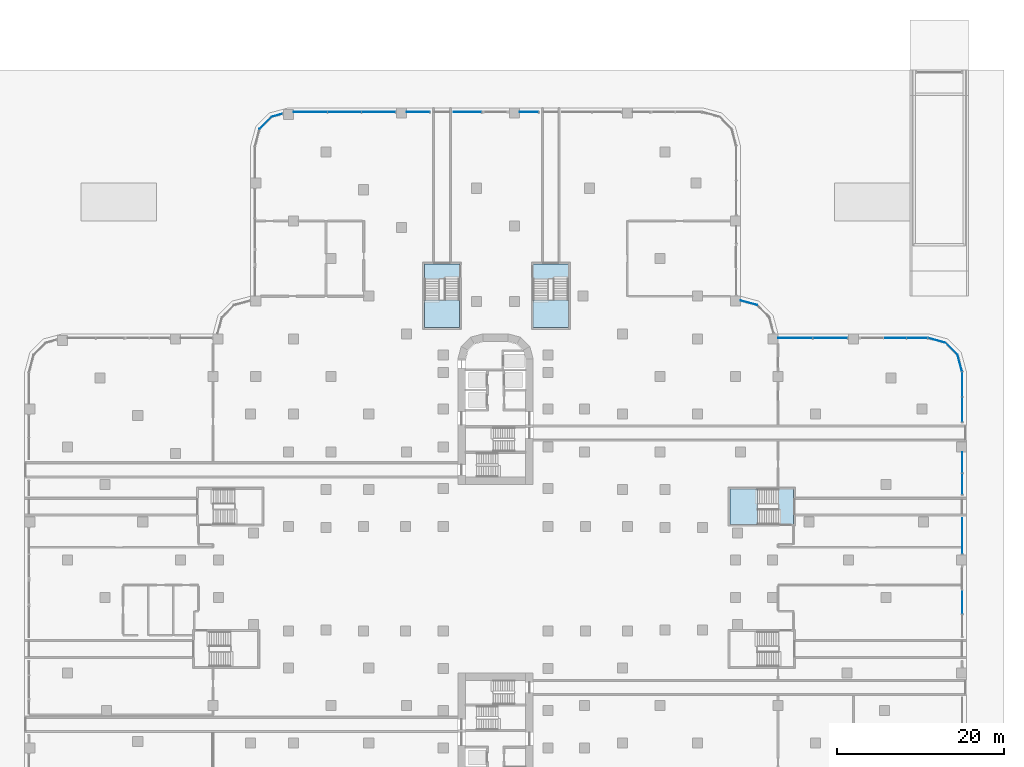
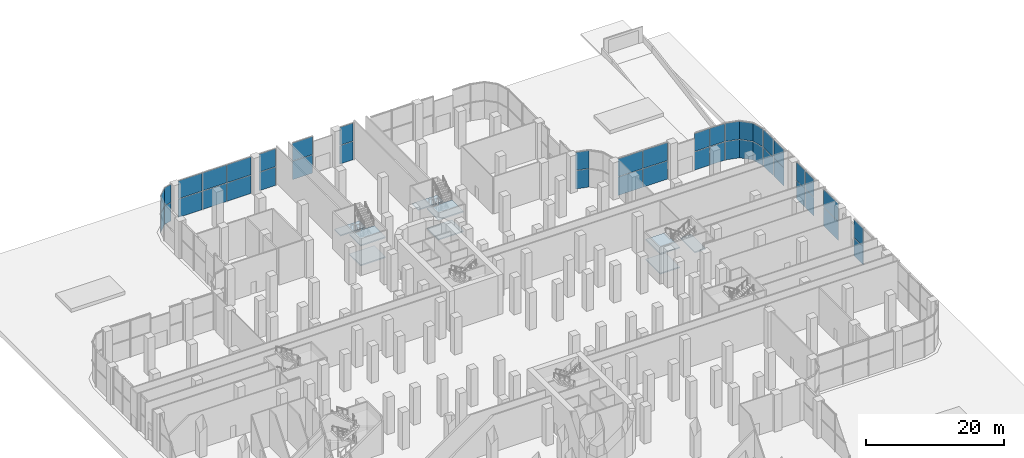
# One storey, part 18 of 34: 44 plates, 9 slabs, 12 elements without a shape of their own.
"""IFC4 building model written with IfcOpenShell, lengths in metres."""

from ifc_helpers import new_model, si_unit, direction, frame, origin, place, context, subcontext, project, spatial, polyline, outline, extrude, source, transform, mapped, material, layer, layer_set, type_object, element, aggregate, save


model = new_model("IFC4")

# Units and contexts
model_context = context("Model", 3, precision=1e-05, world=origin(), true_north=direction((0.0, 1.0)))
body_context = subcontext(model_context, "Body", "Model", "MODEL_VIEW")
ifc_project = project(units=[si_unit("LENGTHUNIT", "METRE"), si_unit("AREAUNIT", "SQUARE_METRE"), si_unit("VOLUMEUNIT", "CUBIC_METRE"), si_unit("PLANEANGLEUNIT", "RADIAN"), si_unit("MASSUNIT", "GRAM", prefix="KILO")], contexts=[model_context])

# Site, building, storey
site_placement = place(None, origin())
site = spatial("IfcSite", under=ifc_project, at=site_placement, CompositionType="ELEMENT")
building_placement = place(site_placement, origin())
building = spatial("IfcBuilding", under=site, at=building_placement, Name="Zarbagh Exchange Tower", CompositionType="ELEMENT")
storey_placement = place(building_placement, origin())
storey = spatial("IfcBuildingStorey", under=building, at=storey_placement, Name="L00", CompositionType="ELEMENT", Elevation=0.0)

# Stair, slabs
ifc_material_1 = material(Name="Concrete C40/50", Category="concrete")
stair_type = type_object("IfcStairType", Name="Exit stair two-flight half-turn", PredefinedType="HALF_TURN_STAIR", material=ifc_material_1)
stair_1_placement = place(storey_placement, origin())
stair_1 = element("IfcStair", 1, at=stair_1_placement, inside=storey, type_object=stair_type, Name="exit stair PS1", PredefinedType="HALF_TURN_STAIR")
ifc_layer_1 = layer(ifc_material_1, 0.199951171875)
ifc_layer_set_1 = layer_set([ifc_layer_1], Name="Stair landing 200 mm")
slab_type = type_object("IfcSlabType", Name="Stair landing 200 mm", PredefinedType="LANDING", material=ifc_layer_set_1)
slab_1_placement = place(storey_placement, frame((0.0, 0.0, 1.550048828125)))
slab_1 = element("IfcSlab", 2, at=slab_1_placement, type_object=slab_type, Name="PS1 landing 1", PredefinedType="LANDING", context=body_context, shape_type="SweptSolid", body=[
    extrude(outline(polyline([(-8.5, 33.280029296875), (-8.5, 30.0), (-4.300048828125, 30.0), (-4.300048828125, 33.280029296875), (-8.5, 33.280029296875)])), origin(), (0.0, 0.0, 1.0), 0.199951171875),
])
slab_2_placement = place(storey_placement, frame((0.0, 0.0, 3.300048828125)))
slab_2 = element("IfcSlab", 3, at=slab_2_placement, type_object=slab_type, Name="PS1 landing 2", PredefinedType="LANDING", context=body_context, shape_type="SweptSolid", body=[
    extrude(outline(polyline([(-8.5, 37.60009765625), (-8.5, 35.800048828125), (-4.300048828125, 35.800048828125), (-4.300048828125, 37.60009765625), (-8.5, 37.60009765625)])), origin(), (0.0, 0.0, 1.0), 0.199951171875),
])
slab_3_placement = place(storey_placement, frame((0.0, 0.0, 5.050048828125)))
slab_3 = element("IfcSlab", 4, at=slab_3_placement, type_object=slab_type, Name="PS1 landing 3", PredefinedType="LANDING", context=body_context, shape_type="SweptSolid", body=[
    extrude(outline(polyline([(-8.5, 33.280029296875), (-8.5, 30.0), (-4.300048828125, 30.0), (-4.300048828125, 33.280029296875), (-8.5, 33.280029296875)])), origin(), (0.0, 0.0, 1.0), 0.199951171875),
])
aggregate(stair_1, [slab_1, slab_2, slab_3])

stair_2_placement = place(storey_placement, origin())
stair_2 = element("IfcStair", 5, at=stair_2_placement, inside=storey, type_object=stair_type, Name="exit stair PS2", PredefinedType="HALF_TURN_STAIR")
slab_4_placement = place(storey_placement, frame((0.0, 0.0, 1.550048828125)))
slab_4 = element("IfcSlab", 6, at=slab_4_placement, type_object=slab_type, Name="PS2 landing 1", PredefinedType="LANDING", context=body_context, shape_type="SweptSolid", body=[
    extrude(outline(polyline([(4.5, 33.280029296875), (4.5, 30.0), (8.699951171875, 30.0), (8.699951171875, 33.280029296875), (4.5, 33.280029296875)])), origin(), (0.0, 0.0, 1.0), 0.199951171875),
])
slab_5_placement = place(storey_placement, frame((0.0, 0.0, 3.300048828125)))
slab_5 = element("IfcSlab", 7, at=slab_5_placement, type_object=slab_type, Name="PS2 landing 2", PredefinedType="LANDING", context=body_context, shape_type="SweptSolid", body=[
    extrude(outline(polyline([(4.5, 37.60009765625), (4.5, 35.800048828125), (8.699951171875, 35.800048828125), (8.699951171875, 37.60009765625), (4.5, 37.60009765625)])), origin(), (0.0, 0.0, 1.0), 0.199951171875),
])
slab_6_placement = place(storey_placement, frame((0.0, 0.0, 5.050048828125)))
slab_6 = element("IfcSlab", 8, at=slab_6_placement, type_object=slab_type, Name="PS2 landing 3", PredefinedType="LANDING", context=body_context, shape_type="SweptSolid", body=[
    extrude(outline(polyline([(4.5, 33.280029296875), (4.5, 30.0), (8.699951171875, 30.0), (8.699951171875, 33.280029296875), (4.5, 33.280029296875)])), origin(), (0.0, 0.0, 1.0), 0.199951171875),
])
aggregate(stair_2, [slab_4, slab_5, slab_6])

stair_3_placement = place(storey_placement, origin())
stair_3 = element("IfcStair", 9, at=stair_3_placement, inside=storey, type_object=stair_type, Name="exit stair PS3", PredefinedType="HALF_TURN_STAIR")
slab_7_placement = place(storey_placement, frame((0.0, 0.0, 1.550048828125)))
slab_7 = element("IfcSlab", 10, at=slab_7_placement, type_object=slab_type, Name="PS3 landing 1", PredefinedType="LANDING", context=body_context, shape_type="SweptSolid", body=[
    extrude(outline(polyline([(31.280029296875, 10.699951171875), (28.0, 10.699951171875), (28.0, 6.5), (31.280029296875, 6.5), (31.280029296875, 10.699951171875)])), origin(), (0.0, 0.0, 1.0), 0.199951171875),
])
slab_8_placement = place(storey_placement, frame((0.0, 0.0, 3.300048828125)))
slab_8 = element("IfcSlab", 11, at=slab_8_placement, type_object=slab_type, Name="PS3 landing 2", PredefinedType="LANDING", context=body_context, shape_type="SweptSolid", body=[
    extrude(outline(polyline([(35.60009765625, 10.699951171875), (33.800048828125, 10.699951171875), (33.800048828125, 6.5), (35.60009765625, 6.5), (35.60009765625, 10.699951171875)])), origin(), (0.0, 0.0, 1.0), 0.199951171875),
])
slab_9_placement = place(storey_placement, frame((0.0, 0.0, 5.050048828125)))
slab_9 = element("IfcSlab", 12, at=slab_9_placement, type_object=slab_type, Name="PS3 landing 3", PredefinedType="LANDING", context=body_context, shape_type="SweptSolid", body=[
    extrude(outline(polyline([(31.280029296875, 10.699951171875), (28.0, 10.699951171875), (28.0, 6.5), (31.280029296875, 6.5), (31.280029296875, 10.699951171875)])), origin(), (0.0, 0.0, 1.0), 0.199951171875),
])
aggregate(stair_3, [slab_7, slab_8, slab_9])

# Curtain wall, plates
ifc_material_2 = material(Name="Anodised aluminium frame and glazing", Category="aluminium")
curtain_wall_type = type_object("IfcCurtainWallType", Name="CWC Podium garden-wall glazing", PredefinedType="NOTDEFINED", material=ifc_material_2)
curtain_wall_1_placement = place(storey_placement, origin())
curtain_wall_1 = element("IfcCurtainWall", 13, at=curtain_wall_1_placement, inside=storey, type_object=curtain_wall_type, Name="CWC14 curtain wall", PredefinedType="NOTDEFINED")
ifc_material_3 = material(Name="Low-e double glazed unit, 6+12+6 mm")
ifc_layer_2 = layer(ifc_material_3, 0.031982421875)
ifc_layer_set_2 = layer_set([ifc_layer_2], Name="PAC Glazing panel, Low-e double glazed unit, 6+12+6 mm")
plate_type = type_object("IfcPlateType", Name="PAC Glazing panel, Low-e double glazed unit, 6+12+6 mm", PredefinedType="CURTAIN_PANEL", material=ifc_layer_set_2)
shared_shape_1 = source(origin(), body_context, "Body", "SweptSolid", [
    extrude(outline(polyline([(0.0, -0.01611328125), (2.049560546875, -0.01611328125), (2.049560546875, 0.01611328125), (0.0, 0.01611328125), (0.0, -0.01611328125)])), origin(), (0.0, 0.0, 1.0), 3.235107421875),
])
placement = place(storey_placement, origin())
plate_1 = element("IfcPlate", 14, at=placement, type_object=plate_type, Name="CWC14 glazing panel 1.1", PredefinedType="CURTAIN_PANEL", context=body_context, shape_type="MappedRepresentation", body=[
    mapped(shared_shape_1, transform((55.729248046875, 24.761474609375, 0.0), x_axis=(-0.258824779902, 0.965924289636, 0.0), y_axis=(-0.965924289636, -0.258824779902, 0.0), z_axis=(0.0, 0.0, 1.0))),
])
shared_shape_2 = source(origin(), body_context, "Body", "SweptSolid", [
    extrude(outline(polyline([(0.0, -0.01611328125), (2.049560546875, -0.01611328125), (2.049560546875, 0.01611328125), (0.0, 0.01611328125), (0.0, -0.01611328125)])), origin(), (0.0, 0.0, 1.0), 3.155029296875),
])
plate_2 = element("IfcPlate", 15, at=placement, type_object=plate_type, Name="CWC14 glazing panel 1.1", PredefinedType="CURTAIN_PANEL", context=body_context, shape_type="MappedRepresentation", body=[
    mapped(shared_shape_2, transform((55.729248046875, 24.761474609375, 3.31494140625), x_axis=(-0.258824779902, 0.965924289636, 0.0), y_axis=(-0.965924289636, -0.258824779902, 0.0), z_axis=(0.0, 0.0, 1.0))),
])
aggregate(curtain_wall_1, [plate_1, plate_2])

# Curtain wall, plate
curtain_wall_2_placement = place(storey_placement, origin())
curtain_wall_2 = element("IfcCurtainWall", 16, at=curtain_wall_2_placement, inside=storey, type_object=curtain_wall_type, Name="CWC15 curtain wall", PredefinedType="NOTDEFINED")
shared_shape_3 = source(origin(), body_context, "Body", "SweptSolid", [
    extrude(outline(polyline([(0.0, -0.01611328125), (2.061279296875, -0.01611328125), (2.061279296875, 0.01611328125), (0.0, 0.01611328125), (0.0, -0.01611328125)])), origin(), (0.0, 0.0, 1.0), 3.235107421875),
])
plate_3 = element("IfcPlate", 17, at=placement, type_object=plate_type, Name="CWC15 glazing panel 1.1", PredefinedType="CURTAIN_PANEL", context=body_context, shape_type="MappedRepresentation", body=[
    mapped(shared_shape_3, transform((55.19873046875, 26.7412109375, 0.0), x_axis=(-0.707106781187, 0.707106781187, 0.0), y_axis=(-0.707106781187, -0.707106781187, 0.0), z_axis=(0.0, 0.0, 1.0))),
])

curtain_wall_3_placement = place(storey_placement, origin())
curtain_wall_3 = element("IfcCurtainWall", 18, at=curtain_wall_3_placement, inside=storey, type_object=curtain_wall_type, Name="CWC27 curtain wall", PredefinedType="NOTDEFINED")
plate_4 = element("IfcPlate", 19, at=placement, type_object=plate_type, Name="CWC27 glazing panel 1.1", PredefinedType="CURTAIN_PANEL", context=body_context, shape_type="MappedRepresentation", body=[
    mapped(shared_shape_3, transform((-26.7412109375, 55.19873046875, 0.0), x_axis=(-0.707106781187, -0.707106781187, 0.0), y_axis=(0.707106781187, -0.707106781187, 0.0), z_axis=(0.0, 0.0, 1.0))),
])

# Plate
shared_shape_4 = source(origin(), body_context, "Body", "SweptSolid", [
    extrude(outline(polyline([(0.0, -0.01611328125), (2.061279296875, -0.01611328125), (2.061279296875, 0.01611328125), (0.0, 0.01611328125), (0.0, -0.01611328125)])), origin(), (0.0, 0.0, 1.0), 3.155029296875),
])
plate_5 = element("IfcPlate", 20, at=placement, type_object=plate_type, Name="CWC15 glazing panel 1.1", PredefinedType="CURTAIN_PANEL", context=body_context, shape_type="MappedRepresentation", body=[
    mapped(shared_shape_4, transform((55.19873046875, 26.7412109375, 3.31494140625), x_axis=(-0.707106781187, 0.707106781187, 0.0), y_axis=(-0.707106781187, -0.707106781187, 0.0), z_axis=(0.0, 0.0, 1.0))),
])

aggregate(curtain_wall_2, [plate_3, plate_5])

plate_6 = element("IfcPlate", 21, at=placement, type_object=plate_type, Name="CWC27 glazing panel 1.1", PredefinedType="CURTAIN_PANEL", context=body_context, shape_type="MappedRepresentation", body=[
    mapped(shared_shape_4, transform((-26.7412109375, 55.19873046875, 3.31494140625), x_axis=(-0.707106781187, -0.707106781187, 0.0), y_axis=(0.707106781187, -0.707106781187, 0.0), z_axis=(0.0, 0.0, 1.0))),
])

aggregate(curtain_wall_3, [plate_4, plate_6])

# Curtain wall, plates
curtain_wall_4_placement = place(storey_placement, origin())
curtain_wall_4 = element("IfcCurtainWall", 22, at=curtain_wall_4_placement, inside=storey, type_object=curtain_wall_type, Name="CWC25 curtain wall", PredefinedType="NOTDEFINED")
shared_shape_5 = source(origin(), body_context, "Body", "SweptSolid", [
    extrude(outline(polyline([(0.0, -0.01611328125), (3.993408203125, -0.01611328125), (3.993408203125, 0.01611328125), (0.0, 0.01611328125), (0.0, -0.01611328125)])), origin(), (0.0, 0.0, 1.0), 3.235107421875),
])
plate_7 = element("IfcPlate", 23, at=placement, type_object=plate_type, Name="CWC25 glazing panel 7.1", PredefinedType="CURTAIN_PANEL", context=body_context, shape_type="MappedRepresentation", body=[
    mapped(shared_shape_5, transform((-11.969970703125, 55.75, 0.0), x_axis=(-1.0, 0.0, 0.0), y_axis=(0.0, -1.0, 0.0), z_axis=(0.0, 0.0, 1.0))),
])
plate_8 = element("IfcPlate", 24, at=placement, type_object=plate_type, Name="CWC25 glazing panel 7.2", PredefinedType="CURTAIN_PANEL", context=body_context, shape_type="MappedRepresentation", body=[
    mapped(shared_shape_5, transform((-16.04345703125, 55.75, 0.0), x_axis=(-1.0, 0.0, 0.0), y_axis=(0.0, -1.0, 0.0), z_axis=(0.0, 0.0, 1.0))),
])
plate_9 = element("IfcPlate", 25, at=placement, type_object=plate_type, Name="CWC25 glazing panel 7.3", PredefinedType="CURTAIN_PANEL", context=body_context, shape_type="MappedRepresentation", body=[
    mapped(shared_shape_5, transform((-20.11669921875, 55.75, 0.0), x_axis=(-1.0, 0.0, 0.0), y_axis=(0.0, -1.0, 0.0), z_axis=(0.0, 0.0, 1.0))),
])
shared_shape_6 = source(origin(), body_context, "Body", "SweptSolid", [
    extrude(outline(polyline([(0.0, -0.01611328125), (3.993408203125, -0.01611328125), (3.993408203125, 0.01611328125), (0.0, 0.01611328125), (0.0, -0.01611328125)])), origin(), (0.0, 0.0, 1.0), 3.155029296875),
])
plate_10 = element("IfcPlate", 26, at=placement, type_object=plate_type, Name="CWC25 glazing panel 7.1", PredefinedType="CURTAIN_PANEL", context=body_context, shape_type="MappedRepresentation", body=[
    mapped(shared_shape_6, transform((-11.969970703125, 55.75, 3.31494140625), x_axis=(-1.0, 0.0, 0.0), y_axis=(0.0, -1.0, 0.0), z_axis=(0.0, 0.0, 1.0))),
])
plate_11 = element("IfcPlate", 27, at=placement, type_object=plate_type, Name="CWC25 glazing panel 7.2", PredefinedType="CURTAIN_PANEL", context=body_context, shape_type="MappedRepresentation", body=[
    mapped(shared_shape_6, transform((-16.04345703125, 55.75, 3.31494140625), x_axis=(-1.0, 0.0, 0.0), y_axis=(0.0, -1.0, 0.0), z_axis=(0.0, 0.0, 1.0))),
])
plate_12 = element("IfcPlate", 28, at=placement, type_object=plate_type, Name="CWC25 glazing panel 7.3", PredefinedType="CURTAIN_PANEL", context=body_context, shape_type="MappedRepresentation", body=[
    mapped(shared_shape_6, transform((-20.11669921875, 55.75, 3.31494140625), x_axis=(-1.0, 0.0, 0.0), y_axis=(0.0, -1.0, 0.0), z_axis=(0.0, 0.0, 1.0))),
])

curtain_wall_5_placement = place(storey_placement, origin())
curtain_wall_5 = element("IfcCurtainWall", 29, at=curtain_wall_5_placement, inside=storey, type_object=curtain_wall_type, Name="CWC20 curtain wall", PredefinedType="NOTDEFINED")
shared_shape_7 = source(origin(), body_context, "Body", "SweptSolid", [
    extrude(outline(polyline([(0.0, -0.01611328125), (2.02001953125, -0.01611328125), (2.02001953125, 0.01611328125), (0.0, 0.01611328125), (0.0, -0.01611328125)])), origin(), (0.0, 0.0, 1.0), 3.235107421875),
])
plate_13 = element("IfcPlate", 30, at=placement, type_object=plate_type, Name="CWC20 glazing panel 1.1", PredefinedType="CURTAIN_PANEL", context=body_context, shape_type="MappedRepresentation", body=[
    mapped(shared_shape_7, transform((31.2412109375, 32.69873046875, 0.0), x_axis=(-0.965924289636, 0.258824779902, 0.0), y_axis=(-0.258824779902, -0.965924289636, 0.0), z_axis=(0.0, 0.0, 1.0))),
])
shared_shape_8 = source(origin(), body_context, "Body", "SweptSolid", [
    extrude(outline(polyline([(0.0, -0.01611328125), (2.02001953125, -0.01611328125), (2.02001953125, 0.01611328125), (0.0, 0.01611328125), (0.0, -0.01611328125)])), origin(), (0.0, 0.0, 1.0), 3.155029296875),
])
plate_14 = element("IfcPlate", 31, at=placement, type_object=plate_type, Name="CWC20 glazing panel 1.1", PredefinedType="CURTAIN_PANEL", context=body_context, shape_type="MappedRepresentation", body=[
    mapped(shared_shape_8, transform((31.2412109375, 32.69873046875, 3.31494140625), x_axis=(-0.965924289636, 0.258824779902, 0.0), y_axis=(-0.258824779902, -0.965924289636, 0.0), z_axis=(0.0, 0.0, 1.0))),
])
aggregate(curtain_wall_5, [plate_13, plate_14])

curtain_wall_6_placement = place(storey_placement, origin())
curtain_wall_6 = element("IfcCurtainWall", 32, at=curtain_wall_6_placement, inside=storey, type_object=curtain_wall_type, Name="CWC13 curtain wall", PredefinedType="NOTDEFINED")
shared_shape_9 = source(origin(), body_context, "Body", "SweptSolid", [
    extrude(outline(polyline([(0.0, -0.01611328125), (2.6298828125, -0.01611328125), (2.6298828125, 0.01611328125), (0.0, 0.01611328125), (0.0, -0.01611328125)])), origin(), (0.0, 0.0, 1.0), 3.235107421875),
])
plate_15 = element("IfcPlate", 33, at=placement, type_object=plate_type, Name="CWC13 glazing panel 3.2", PredefinedType="CURTAIN_PANEL", context=body_context, shape_type="MappedRepresentation", body=[
    mapped(shared_shape_9, transform((55.75, -4.219970703125, 0.0), x_axis=(0.0, 1.0, 0.0), y_axis=(-1.0, 0.0, 0.0), z_axis=(0.0, 0.0, 1.0))),
])
shared_shape_10 = source(origin(), body_context, "Body", "SweptSolid", [
    extrude(outline(polyline([(0.0, -0.01611328125), (2.6298828125, -0.01611328125), (2.6298828125, 0.01611328125), (0.0, 0.01611328125), (0.0, -0.01611328125)])), origin(), (0.0, 0.0, 1.0), 3.155029296875),
])
plate_16 = element("IfcPlate", 34, at=placement, type_object=plate_type, Name="CWC13 glazing panel 3.2", PredefinedType="CURTAIN_PANEL", context=body_context, shape_type="MappedRepresentation", body=[
    mapped(shared_shape_10, transform((55.75, -4.219970703125, 3.31494140625), x_axis=(0.0, 1.0, 0.0), y_axis=(-1.0, 0.0, 0.0), z_axis=(0.0, 0.0, 1.0))),
])
shared_shape_11 = source(origin(), body_context, "Body", "SweptSolid", [
    extrude(outline(polyline([(0.0, -0.01611328125), (4.239990234375, -0.01611328125), (4.239990234375, 0.01611328125), (0.0, 0.01611328125), (0.0, -0.01611328125)])), origin(), (0.0, 0.0, 1.0), 3.235107421875),
])
plate_17 = element("IfcPlate", 35, at=placement, type_object=plate_type, Name="CWC13 glazing panel 4.1", PredefinedType="CURTAIN_PANEL", context=body_context, shape_type="MappedRepresentation", body=[
    mapped(shared_shape_11, transform((55.75, 2.969970703125, 0.0), x_axis=(0.0, 1.0, 0.0), y_axis=(-1.0, 0.0, 0.0), z_axis=(0.0, 0.0, 1.0))),
])
shared_shape_12 = source(origin(), body_context, "Body", "SweptSolid", [
    extrude(outline(polyline([(0.0, -0.01611328125), (4.239990234375, -0.01611328125), (4.239990234375, 0.01611328125), (0.0, 0.01611328125), (0.0, -0.01611328125)])), origin(), (0.0, 0.0, 1.0), 3.155029296875),
])
plate_18 = element("IfcPlate", 36, at=placement, type_object=plate_type, Name="CWC13 glazing panel 4.1", PredefinedType="CURTAIN_PANEL", context=body_context, shape_type="MappedRepresentation", body=[
    mapped(shared_shape_12, transform((55.75, 2.969970703125, 3.31494140625), x_axis=(0.0, 1.0, 0.0), y_axis=(-1.0, 0.0, 0.0), z_axis=(0.0, 0.0, 1.0))),
])
shared_shape_13 = source(origin(), body_context, "Body", "SweptSolid", [
    extrude(outline(polyline([(0.0, -0.01611328125), (2.47998046875, -0.01611328125), (2.47998046875, 0.01611328125), (0.0, 0.01611328125), (0.0, -0.01611328125)])), origin(), (0.0, 0.0, 1.0), 3.235107421875),
])
plate_19 = element("IfcPlate", 37, at=placement, type_object=plate_type, Name="CWC13 glazing panel 5.1", PredefinedType="CURTAIN_PANEL", context=body_context, shape_type="MappedRepresentation", body=[
    mapped(shared_shape_13, transform((55.75, 10.070068359375, 0.0), x_axis=(0.0, 1.0, 0.0), y_axis=(-1.0, 0.0, 0.0), z_axis=(0.0, 0.0, 1.0))),
])
plate_20 = element("IfcPlate", 38, at=placement, type_object=plate_type, Name="CWC13 glazing panel 5.2", PredefinedType="CURTAIN_PANEL", context=body_context, shape_type="MappedRepresentation", body=[
    mapped(shared_shape_13, transform((55.75, 12.630126953125, 0.0), x_axis=(0.0, 1.0, 0.0), y_axis=(-1.0, 0.0, 0.0), z_axis=(0.0, 0.0, 1.0))),
])
shared_shape_14 = source(origin(), body_context, "Body", "SweptSolid", [
    extrude(outline(polyline([(0.0, -0.01611328125), (2.47998046875, -0.01611328125), (2.47998046875, 0.01611328125), (0.0, 0.01611328125), (0.0, -0.01611328125)])), origin(), (0.0, 0.0, 1.0), 3.155029296875),
])
plate_21 = element("IfcPlate", 39, at=placement, type_object=plate_type, Name="CWC13 glazing panel 5.1", PredefinedType="CURTAIN_PANEL", context=body_context, shape_type="MappedRepresentation", body=[
    mapped(shared_shape_14, transform((55.75, 10.070068359375, 3.31494140625), x_axis=(0.0, 1.0, 0.0), y_axis=(-1.0, 0.0, 0.0), z_axis=(0.0, 0.0, 1.0))),
])
plate_22 = element("IfcPlate", 40, at=placement, type_object=plate_type, Name="CWC13 glazing panel 5.2", PredefinedType="CURTAIN_PANEL", context=body_context, shape_type="MappedRepresentation", body=[
    mapped(shared_shape_14, transform((55.75, 12.630126953125, 3.31494140625), x_axis=(0.0, 1.0, 0.0), y_axis=(-1.0, 0.0, 0.0), z_axis=(0.0, 0.0, 1.0))),
])
shared_shape_15 = source(origin(), body_context, "Body", "SweptSolid", [
    extrude(outline(polyline([(0.0, -0.01611328125), (2.942138671875, -0.01611328125), (2.942138671875, 0.01611328125), (0.0, 0.01611328125), (0.0, -0.01611328125)])), origin(), (0.0, 0.0, 1.0), 3.235107421875),
])
plate_23 = element("IfcPlate", 41, at=placement, type_object=plate_type, Name="CWC13 glazing panel 6.1", PredefinedType="CURTAIN_PANEL", context=body_context, shape_type="MappedRepresentation", body=[
    mapped(shared_shape_15, transform((55.75, 18.719970703125, 0.0), x_axis=(0.0, 1.0, 0.0), y_axis=(-1.0, 0.0, 0.0), z_axis=(0.0, 0.0, 1.0))),
])
plate_24 = element("IfcPlate", 42, at=placement, type_object=plate_type, Name="CWC13 glazing panel 6.2", PredefinedType="CURTAIN_PANEL", context=body_context, shape_type="MappedRepresentation", body=[
    mapped(shared_shape_15, transform((55.75, 21.7421875, 0.0), x_axis=(0.0, 1.0, 0.0), y_axis=(-1.0, 0.0, 0.0), z_axis=(0.0, 0.0, 1.0))),
])
shared_shape_16 = source(origin(), body_context, "Body", "SweptSolid", [
    extrude(outline(polyline([(0.0, -0.01611328125), (2.942138671875, -0.01611328125), (2.942138671875, 0.01611328125), (0.0, 0.01611328125), (0.0, -0.01611328125)])), origin(), (0.0, 0.0, 1.0), 3.155029296875),
])
plate_25 = element("IfcPlate", 43, at=placement, type_object=plate_type, Name="CWC13 glazing panel 6.1", PredefinedType="CURTAIN_PANEL", context=body_context, shape_type="MappedRepresentation", body=[
    mapped(shared_shape_16, transform((55.75, 18.719970703125, 3.31494140625), x_axis=(0.0, 1.0, 0.0), y_axis=(-1.0, 0.0, 0.0), z_axis=(0.0, 0.0, 1.0))),
])
plate_26 = element("IfcPlate", 44, at=placement, type_object=plate_type, Name="CWC13 glazing panel 6.2", PredefinedType="CURTAIN_PANEL", context=body_context, shape_type="MappedRepresentation", body=[
    mapped(shared_shape_16, transform((55.75, 21.7421875, 3.31494140625), x_axis=(0.0, 1.0, 0.0), y_axis=(-1.0, 0.0, 0.0), z_axis=(0.0, 0.0, 1.0))),
])
aggregate(curtain_wall_6, [plate_15, plate_16, plate_17, plate_18, plate_19, plate_21, plate_20, plate_22, plate_23, plate_25, plate_24, plate_26])

curtain_wall_7_placement = place(storey_placement, origin())
curtain_wall_7 = element("IfcCurtainWall", 45, at=curtain_wall_7_placement, inside=storey, type_object=curtain_wall_type, Name="CWC16 curtain wall", PredefinedType="NOTDEFINED")
shared_shape_17 = source(origin(), body_context, "Body", "SweptSolid", [
    extrude(outline(polyline([(0.0, -0.01611328125), (2.129638671875, -0.01611328125), (2.129638671875, 0.01611328125), (0.0, 0.01611328125), (0.0, -0.01611328125)])), origin(), (0.0, 0.0, 1.0), 3.235107421875),
])
plate_27 = element("IfcPlate", 46, at=placement, type_object=plate_type, Name="CWC16 glazing panel 1.1", PredefinedType="CURTAIN_PANEL", context=body_context, shape_type="MappedRepresentation", body=[
    mapped(shared_shape_17, transform((53.7412109375, 28.19873046875, 0.0), x_axis=(-0.965924289636, 0.258824779902, 0.0), y_axis=(-0.258824779902, -0.965924289636, 0.0), z_axis=(0.0, 0.0, 1.0))),
])
shared_shape_18 = source(origin(), body_context, "Body", "SweptSolid", [
    extrude(outline(polyline([(0.0, -0.01611328125), (2.129638671875, -0.01611328125), (2.129638671875, 0.01611328125), (0.0, 0.01611328125), (0.0, -0.01611328125)])), origin(), (0.0, 0.0, 1.0), 3.155029296875),
])
plate_28 = element("IfcPlate", 47, at=placement, type_object=plate_type, Name="CWC16 glazing panel 1.1", PredefinedType="CURTAIN_PANEL", context=body_context, shape_type="MappedRepresentation", body=[
    mapped(shared_shape_18, transform((53.7412109375, 28.19873046875, 3.31494140625), x_axis=(-0.965924289636, 0.258824779902, 0.0), y_axis=(-0.258824779902, -0.965924289636, 0.0), z_axis=(0.0, 0.0, 1.0))),
])
aggregate(curtain_wall_7, [plate_27, plate_28])

curtain_wall_8_placement = place(storey_placement, origin())
curtain_wall_8 = element("IfcCurtainWall", 48, at=curtain_wall_8_placement, inside=storey, type_object=curtain_wall_type, Name="CWC17 curtain wall", PredefinedType="NOTDEFINED")
shared_shape_19 = source(origin(), body_context, "Body", "SweptSolid", [
    extrude(outline(polyline([(0.0, -0.01611328125), (2.467041015625, -0.01611328125), (2.467041015625, 0.01611328125), (0.0, 0.01611328125), (0.0, -0.01611328125)])), origin(), (0.0, 0.0, 1.0), 3.235107421875),
])
plate_29 = element("IfcPlate", 49, at=placement, type_object=plate_type, Name="CWC17 glazing panel 1.1", PredefinedType="CURTAIN_PANEL", context=body_context, shape_type="MappedRepresentation", body=[
    mapped(shared_shape_19, transform((51.604248046875, 28.75, 0.0), x_axis=(-1.0, 0.0, 0.0), y_axis=(0.0, -1.0, 0.0), z_axis=(0.0, 0.0, 1.0))),
])
plate_30 = element("IfcPlate", 50, at=placement, type_object=plate_type, Name="CWC17 glazing panel 1.2", PredefinedType="CURTAIN_PANEL", context=body_context, shape_type="MappedRepresentation", body=[
    mapped(shared_shape_19, transform((49.05712890625, 28.75, 0.0), x_axis=(-1.0, 0.0, 0.0), y_axis=(0.0, -1.0, 0.0), z_axis=(0.0, 0.0, 1.0))),
])
shared_shape_20 = source(origin(), body_context, "Body", "SweptSolid", [
    extrude(outline(polyline([(0.0, -0.01611328125), (2.467041015625, -0.01611328125), (2.467041015625, 0.01611328125), (0.0, 0.01611328125), (0.0, -0.01611328125)])), origin(), (0.0, 0.0, 1.0), 3.155029296875),
])
plate_31 = element("IfcPlate", 51, at=placement, type_object=plate_type, Name="CWC17 glazing panel 1.1", PredefinedType="CURTAIN_PANEL", context=body_context, shape_type="MappedRepresentation", body=[
    mapped(shared_shape_20, transform((51.604248046875, 28.75, 3.31494140625), x_axis=(-1.0, 0.0, 0.0), y_axis=(0.0, -1.0, 0.0), z_axis=(0.0, 0.0, 1.0))),
])
plate_32 = element("IfcPlate", 52, at=placement, type_object=plate_type, Name="CWC17 glazing panel 1.2", PredefinedType="CURTAIN_PANEL", context=body_context, shape_type="MappedRepresentation", body=[
    mapped(shared_shape_20, transform((49.05712890625, 28.75, 3.31494140625), x_axis=(-1.0, 0.0, 0.0), y_axis=(0.0, -1.0, 0.0), z_axis=(0.0, 0.0, 1.0))),
])
shared_shape_21 = source(origin(), body_context, "Body", "SweptSolid", [
    extrude(outline(polyline([(0.0, -0.01611328125), (4.080078125, -0.01611328125), (4.080078125, 0.01611328125), (0.0, 0.01611328125), (0.0, -0.01611328125)])), origin(), (0.0, 0.0, 1.0), 3.235107421875),
])
plate_33 = element("IfcPlate", 53, at=placement, type_object=plate_type, Name="CWC17 glazing panel 2.1", PredefinedType="CURTAIN_PANEL", context=body_context, shape_type="MappedRepresentation", body=[
    mapped(shared_shape_21, transform((42.030029296875, 28.75, 0.0), x_axis=(-1.0, 0.0, 0.0), y_axis=(0.0, -1.0, 0.0), z_axis=(0.0, 0.0, 1.0))),
])
plate_34 = element("IfcPlate", 54, at=placement, type_object=plate_type, Name="CWC17 glazing panel 2.2", PredefinedType="CURTAIN_PANEL", context=body_context, shape_type="MappedRepresentation", body=[
    mapped(shared_shape_21, transform((37.869873046875, 28.75, 0.0), x_axis=(-1.0, 0.0, 0.0), y_axis=(0.0, -1.0, 0.0), z_axis=(0.0, 0.0, 1.0))),
])
shared_shape_22 = source(origin(), body_context, "Body", "SweptSolid", [
    extrude(outline(polyline([(0.0, -0.01611328125), (4.080078125, -0.01611328125), (4.080078125, 0.01611328125), (0.0, 0.01611328125), (0.0, -0.01611328125)])), origin(), (0.0, 0.0, 1.0), 3.155029296875),
])
plate_35 = element("IfcPlate", 55, at=placement, type_object=plate_type, Name="CWC17 glazing panel 2.1", PredefinedType="CURTAIN_PANEL", context=body_context, shape_type="MappedRepresentation", body=[
    mapped(shared_shape_22, transform((42.030029296875, 28.75, 3.31494140625), x_axis=(-1.0, 0.0, 0.0), y_axis=(0.0, -1.0, 0.0), z_axis=(0.0, 0.0, 1.0))),
])
plate_36 = element("IfcPlate", 56, at=placement, type_object=plate_type, Name="CWC17 glazing panel 2.2", PredefinedType="CURTAIN_PANEL", context=body_context, shape_type="MappedRepresentation", body=[
    mapped(shared_shape_22, transform((37.869873046875, 28.75, 3.31494140625), x_axis=(-1.0, 0.0, 0.0), y_axis=(0.0, -1.0, 0.0), z_axis=(0.0, 0.0, 1.0))),
])
aggregate(curtain_wall_8, [plate_29, plate_31, plate_30, plate_32, plate_33, plate_35, plate_34, plate_36])

# Plate
shared_shape_23 = source(origin(), body_context, "Body", "SweptSolid", [
    extrude(outline(polyline([(0.0, -0.01611328125), (2.239990234375, -0.01611328125), (2.239990234375, 0.01611328125), (0.0, 0.01611328125), (0.0, -0.01611328125)])), origin(), (0.0, 0.0, 1.0), 3.235107421875),
])
plate_37 = element("IfcPlate", 57, at=placement, type_object=plate_type, Name="CWC25 glazing panel 4.1", PredefinedType="CURTAIN_PANEL", context=body_context, shape_type="MappedRepresentation", body=[
    mapped(shared_shape_23, transform((5.1298828125, 55.75, 0.0), x_axis=(-1.0, 0.0, 0.0), y_axis=(0.0, -1.0, 0.0), z_axis=(0.0, 0.0, 1.0))),
])

shared_shape_24 = source(origin(), body_context, "Body", "SweptSolid", [
    extrude(outline(polyline([(0.0, -0.01611328125), (2.239990234375, -0.01611328125), (2.239990234375, 0.01611328125), (0.0, 0.01611328125), (0.0, -0.01611328125)])), origin(), (0.0, 0.0, 1.0), 3.155029296875),
])
plate_38 = element("IfcPlate", 58, at=placement, type_object=plate_type, Name="CWC25 glazing panel 4.1", PredefinedType="CURTAIN_PANEL", context=body_context, shape_type="MappedRepresentation", body=[
    mapped(shared_shape_24, transform((5.1298828125, 55.75, 3.31494140625), x_axis=(-1.0, 0.0, 0.0), y_axis=(0.0, -1.0, 0.0), z_axis=(0.0, 0.0, 1.0))),
])

shared_shape_25 = source(origin(), body_context, "Body", "SweptSolid", [
    extrude(outline(polyline([(0.0, -0.01611328125), (3.330078125, -0.01611328125), (3.330078125, 0.01611328125), (0.0, 0.01611328125), (0.0, -0.01611328125)])), origin(), (0.0, 0.0, 1.0), 3.235107421875),
])
plate_39 = element("IfcPlate", 59, at=placement, type_object=plate_type, Name="CWC25 glazing panel 5.1", PredefinedType="CURTAIN_PANEL", context=body_context, shape_type="MappedRepresentation", body=[
    mapped(shared_shape_25, transform((-1.679931640625, 55.75, 0.0), x_axis=(-1.0, 0.0, 0.0), y_axis=(0.0, -1.0, 0.0), z_axis=(0.0, 0.0, 1.0))),
])

shared_shape_26 = source(origin(), body_context, "Body", "SweptSolid", [
    extrude(outline(polyline([(0.0, -0.01611328125), (3.330078125, -0.01611328125), (3.330078125, 0.01611328125), (0.0, 0.01611328125), (0.0, -0.01611328125)])), origin(), (0.0, 0.0, 1.0), 3.155029296875),
])
plate_40 = element("IfcPlate", 60, at=placement, type_object=plate_type, Name="CWC25 glazing panel 5.1", PredefinedType="CURTAIN_PANEL", context=body_context, shape_type="MappedRepresentation", body=[
    mapped(shared_shape_26, transform((-1.679931640625, 55.75, 3.31494140625), x_axis=(-1.0, 0.0, 0.0), y_axis=(0.0, -1.0, 0.0), z_axis=(0.0, 0.0, 1.0))),
])

shared_shape_27 = source(origin(), body_context, "Body", "SweptSolid", [
    extrude(outline(polyline([(0.0, -0.01611328125), (2.739990234375, -0.01611328125), (2.739990234375, 0.01611328125), (0.0, 0.01611328125), (0.0, -0.01611328125)])), origin(), (0.0, 0.0, 1.0), 3.235107421875),
])
plate_41 = element("IfcPlate", 61, at=placement, type_object=plate_type, Name="CWC25 glazing panel 6.1", PredefinedType="CURTAIN_PANEL", context=body_context, shape_type="MappedRepresentation", body=[
    mapped(shared_shape_27, transform((-7.8701171875, 55.75, 0.0), x_axis=(-1.0, 0.0, 0.0), y_axis=(0.0, -1.0, 0.0), z_axis=(0.0, 0.0, 1.0))),
])

shared_shape_28 = source(origin(), body_context, "Body", "SweptSolid", [
    extrude(outline(polyline([(0.0, -0.01611328125), (2.739990234375, -0.01611328125), (2.739990234375, 0.01611328125), (0.0, 0.01611328125), (0.0, -0.01611328125)])), origin(), (0.0, 0.0, 1.0), 3.155029296875),
])
plate_42 = element("IfcPlate", 62, at=placement, type_object=plate_type, Name="CWC25 glazing panel 6.1", PredefinedType="CURTAIN_PANEL", context=body_context, shape_type="MappedRepresentation", body=[
    mapped(shared_shape_28, transform((-7.8701171875, 55.75, 3.31494140625), x_axis=(-1.0, 0.0, 0.0), y_axis=(0.0, -1.0, 0.0), z_axis=(0.0, 0.0, 1.0))),
])

aggregate(curtain_wall_4, [plate_37, plate_38, plate_39, plate_40, plate_41, plate_42, plate_7, plate_10, plate_8, plate_11, plate_9, plate_12])

# Curtain wall, plates
curtain_wall_9_placement = place(storey_placement, origin())
curtain_wall_9 = element("IfcCurtainWall", 63, at=curtain_wall_9_placement, inside=storey, type_object=curtain_wall_type, Name="CWC26 curtain wall", PredefinedType="NOTDEFINED")
shared_shape_29 = source(origin(), body_context, "Body", "SweptSolid", [
    extrude(outline(polyline([(0.0, -0.01611328125), (1.31884765625, -0.01611328125), (1.31884765625, 0.01611328125), (0.0, 0.01611328125), (0.0, -0.01611328125)])), origin(), (0.0, 0.0, 1.0), 3.235107421875),
])
plate_43 = element("IfcPlate", 64, at=placement, type_object=plate_type, Name="CWC26 glazing panel 1.1", PredefinedType="CURTAIN_PANEL", context=body_context, shape_type="MappedRepresentation", body=[
    mapped(shared_shape_29, transform((-25.46728515625, 55.540283203125, 0.0), x_axis=(-0.965924289636, -0.258824779902, 0.0), y_axis=(0.258824779902, -0.965924289636, 0.0), z_axis=(0.0, 0.0, 1.0))),
])
shared_shape_30 = source(origin(), body_context, "Body", "SweptSolid", [
    extrude(outline(polyline([(0.0, -0.01611328125), (1.31884765625, -0.01611328125), (1.31884765625, 0.01611328125), (0.0, 0.01611328125), (0.0, -0.01611328125)])), origin(), (0.0, 0.0, 1.0), 3.155029296875),
])
plate_44 = element("IfcPlate", 65, at=placement, type_object=plate_type, Name="CWC26 glazing panel 1.1", PredefinedType="CURTAIN_PANEL", context=body_context, shape_type="MappedRepresentation", body=[
    mapped(shared_shape_30, transform((-25.46728515625, 55.540283203125, 3.31494140625), x_axis=(-0.965924289636, -0.258824779902, 0.0), y_axis=(0.258824779902, -0.965924289636, 0.0), z_axis=(0.0, 0.0, 1.0))),
])
aggregate(curtain_wall_9, [plate_43, plate_44])

save(model, "model.ifc")
